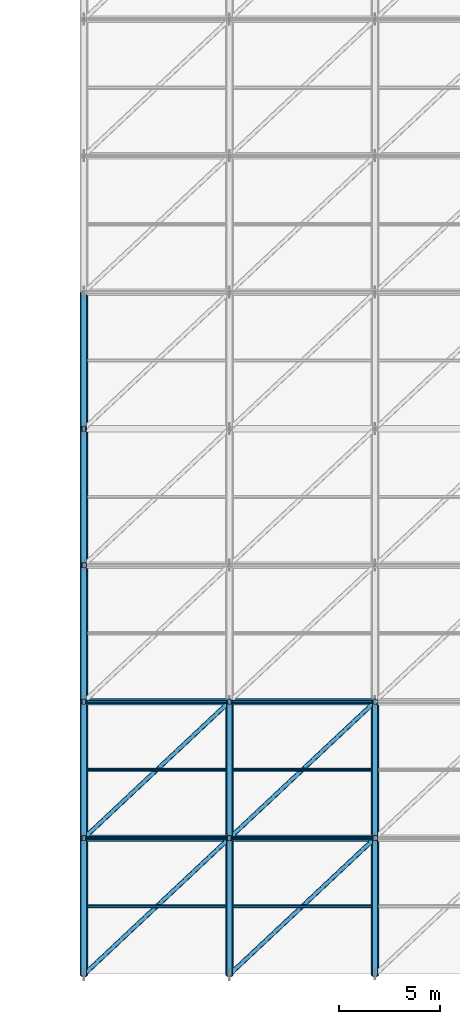
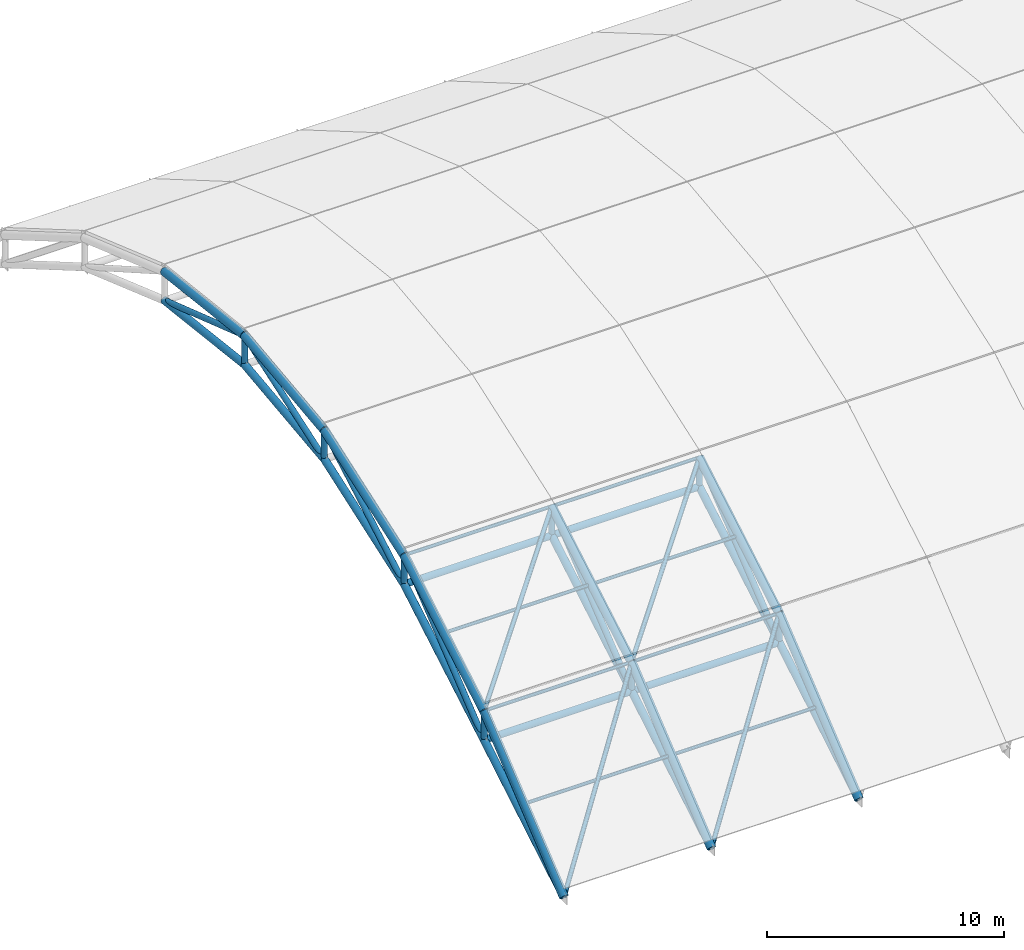
# One storey, part 1 of 72: 42 members, 9 beams.
"""IFC4 building model written with IfcOpenShell, lengths in metres."""

from ifc_helpers import new_model, si_unit, direction, frame, origin, origin_2d, place, context, subcontext, project, spatial, hollow_circle, extrude, material, material_profile, profile_set, type_object, element, save


model = new_model("IFC4")

# Units and contexts
model_context = context("Model", 3, precision=1e-05, world=origin(), true_north=direction((0.0, 1.0)))
body_context = subcontext(model_context, "Body", "Model", "MODEL_VIEW")
ifc_project = project(units=[si_unit("LENGTHUNIT", "METRE"), si_unit("AREAUNIT", "SQUARE_METRE"), si_unit("VOLUMEUNIT", "CUBIC_METRE"), si_unit("PLANEANGLEUNIT", "RADIAN"), si_unit("MASSUNIT", "GRAM", prefix="KILO")], contexts=[model_context])

# Site, building, storey
site_placement = place(None, origin())
site = spatial("IfcSite", under=ifc_project, at=site_placement, CompositionType="ELEMENT")
building_placement = place(site_placement, origin())
building = spatial("IfcBuilding", under=site, at=building_placement, Name="Vaelcorin Mobility Hub", CompositionType="ELEMENT")
storey_placement = place(building_placement, frame((0.0, 0.0, 25.800048828125)))
storey = spatial("IfcBuildingStorey", under=building, at=storey_placement, Name="RF", CompositionType="ELEMENT", Elevation=25.800048828125)

# Members
ifc_material = material(Name="Steel ASTM A500 Grade C", Category="steel")
ifc_material_profile_1 = material_profile(ifc_material, hollow_circle(Radius=0.161865234375, WallThickness=0.0126953125, at=origin_2d()), Name="HSS12.750X0.500")
ifc_profile_set_1 = profile_set([ifc_material_profile_1], Name="Steel ASTM A500 Grade C")
member_type_1 = type_object("IfcMemberType", Name="SF-CHORD-12", PredefinedType="CHORD", material=ifc_profile_set_1)
for number, where, z_axis, x_axis, name in (
    (1, (36.0, 12.75, -15.7880859375), (1.0, 0.0, 0.0), (0.0, 1.0, 0.0), "Space Frame Lower Longitudinal Chord 1-1"),
    (2, (36.0, 19.5, -11.85009765625), (1.0, 0.0, 0.0), (0.0, 1.0, 0.0), "Space Frame Lower Longitudinal Chord 1-2"),
    (3, (43.199951171875, 12.75, -15.7880859375), (1.0, 0.0, 0.0), (0.0, 1.0, 0.0), "Space Frame Lower Longitudinal Chord 2-1"),
    (4, (43.199951171875, 19.5, -11.85009765625), (1.0, 0.0, 0.0), (0.0, 1.0, 0.0), "Space Frame Lower Longitudinal Chord 2-2"),
):
    element("IfcMember", number, at=place(storey_placement, frame(where, z_axis=z_axis, x_axis=x_axis)), inside=storey, type_object=member_type_1, Name=name, PredefinedType="CHORD", context=body_context, shape_type="SweptSolid", body=[
        extrude(hollow_circle(Radius=0.161865234375, WallThickness=0.0126953125, at=origin_2d()), origin(), (0.0, 0.0, 1.0), 7.199951171875),
    ])
ifc_material_profile_2 = material_profile(ifc_material, hollow_circle(Radius=0.177734375, WallThickness=0.0126953125, at=origin_2d()), Name="HSS14.000X0.500")
ifc_profile_set_2 = profile_set([ifc_material_profile_2], Name="Steel ASTM A500 Grade C")
member_type_2 = type_object("IfcMemberType", Name="SF-CHORD-14", PredefinedType="CHORD", material=ifc_profile_set_2)
member_1_placement = place(storey_placement, frame((36.0, 6.0, -19.800048828125), z_axis=(0.0, 0.859622623593, 0.510929491229), x_axis=(-1.0, 0.0, 0.0)))
element("IfcMember", 5, at=member_1_placement, inside=storey, type_object=member_type_2, Name="Space Frame Roof Truss Lower Chord 1-1", PredefinedType="CHORD", context=body_context, shape_type="SweptSolid", body=[
    extrude(hollow_circle(Radius=0.177734375, WallThickness=0.0126953125, at=origin_2d()), origin(), (0.0, 0.0, 1.0), 7.852294921875),
])
member_2_placement = place(storey_placement, frame((36.0, 12.75, -15.7880859375), z_axis=(0.0, 0.863751705385, 0.503917643514), x_axis=(-1.0, 0.0, 0.0)))
element("IfcMember", 6, at=member_2_placement, inside=storey, type_object=member_type_2, Name="Space Frame Roof Truss Lower Chord 1-2", PredefinedType="CHORD", context=body_context, shape_type="SweptSolid", body=[
    extrude(hollow_circle(Radius=0.177734375, WallThickness=0.0126953125, at=origin_2d()), origin(), (0.0, 0.0, 1.0), 7.814697265625),
])
member_3_placement = place(storey_placement, frame((36.0, 19.5, -11.85009765625), z_axis=(0.0, 0.943877515247, 0.330295679977), x_axis=(-1.0, 0.0, 0.0)))
element("IfcMember", 7, at=member_3_placement, inside=storey, type_object=member_type_2, Name="Space Frame Roof Truss Lower Chord 1-3", PredefinedType="CHORD", context=body_context, shape_type="SweptSolid", body=[
    extrude(hollow_circle(Radius=0.177734375, WallThickness=0.0126953125, at=origin_2d()), origin(), (0.0, 0.0, 1.0), 7.1513671875),
])
for number, where, z_axis, x_axis, name in (
    (8, (36.0, 26.25, -9.488037109375), (0.0, 0.993253211532, 0.115965761242), (-1.0, 0.0, 0.0), "Space Frame Roof Truss Lower Chord 1-4"),
    (9, (36.0, 33.0, -8.699951171875), (0.0, 0.993253211532, -0.115965761242), (-1.0, 0.0, 0.0), "Space Frame Roof Truss Lower Chord 1-5"),
):
    element("IfcMember", number, at=place(storey_placement, frame(where, z_axis=z_axis, x_axis=x_axis)), inside=storey, type_object=member_type_2, Name=name, PredefinedType="CHORD", context=body_context, shape_type="SweptSolid", body=[
        extrude(hollow_circle(Radius=0.177734375, WallThickness=0.0126953125, at=origin_2d()), origin(), (0.0, 0.0, 1.0), 6.7958984375),
    ])
member_4_placement = place(storey_placement, frame((43.199951171875, 6.0, -19.800048828125), z_axis=(0.0, 0.859622623593, 0.510929491229), x_axis=(-1.0, 0.0, 0.0)))
element("IfcMember", 10, at=member_4_placement, inside=storey, type_object=member_type_2, Name="Space Frame Roof Truss Lower Chord 2-1", PredefinedType="CHORD", context=body_context, shape_type="SweptSolid", body=[
    extrude(hollow_circle(Radius=0.177734375, WallThickness=0.0126953125, at=origin_2d()), origin(), (0.0, 0.0, 1.0), 7.852294921875),
])
member_5_placement = place(storey_placement, frame((43.199951171875, 12.75, -15.7880859375), z_axis=(0.0, 0.863751705385, 0.503917643514), x_axis=(-1.0, 0.0, 0.0)))
element("IfcMember", 11, at=member_5_placement, inside=storey, type_object=member_type_2, Name="Space Frame Roof Truss Lower Chord 2-2", PredefinedType="CHORD", context=body_context, shape_type="SweptSolid", body=[
    extrude(hollow_circle(Radius=0.177734375, WallThickness=0.0126953125, at=origin_2d()), origin(), (0.0, 0.0, 1.0), 7.814697265625),
])
member_6_placement = place(storey_placement, frame((50.39990234375, 6.0, -19.800048828125), z_axis=(0.0, 0.859622623593, 0.510929491229), x_axis=(-1.0, 0.0, 0.0)))
element("IfcMember", 12, at=member_6_placement, inside=storey, type_object=member_type_2, Name="Space Frame Roof Truss Lower Chord 3-1", PredefinedType="CHORD", context=body_context, shape_type="SweptSolid", body=[
    extrude(hollow_circle(Radius=0.177734375, WallThickness=0.0126953125, at=origin_2d()), origin(), (0.0, 0.0, 1.0), 7.852294921875),
])
member_7_placement = place(storey_placement, frame((50.39990234375, 12.75, -15.7880859375), z_axis=(0.0, 0.863751705385, 0.503917643514), x_axis=(-1.0, 0.0, 0.0)))
element("IfcMember", 13, at=member_7_placement, inside=storey, type_object=member_type_2, Name="Space Frame Roof Truss Lower Chord 3-2", PredefinedType="CHORD", context=body_context, shape_type="SweptSolid", body=[
    extrude(hollow_circle(Radius=0.177734375, WallThickness=0.0126953125, at=origin_2d()), origin(), (0.0, 0.0, 1.0), 7.814697265625),
])
ifc_material_profile_3 = material_profile(ifc_material, hollow_circle(Radius=0.136474609375, WallThickness=0.0126953125, at=origin_2d()), Name="HSS10.750X0.500")
ifc_profile_set_3 = profile_set([ifc_material_profile_3], Name="Steel ASTM A500 Grade C")
member_type_3 = type_object("IfcMemberType", Name="SF-DIAG-10", PredefinedType="BRACE", material=ifc_profile_set_3)
member_8_placement = place(storey_placement, frame((36.0, 6.0, -19.800048828125), z_axis=(0.0, 0.774562321982, 0.632497596332), x_axis=(-1.0, 0.0, 0.0)))
element("IfcMember", 14, at=member_8_placement, inside=storey, type_object=member_type_3, Name="Space Frame Roof Truss Web Diagonal 1-1", PredefinedType="BRACE", context=body_context, shape_type="SweptSolid", body=[
    extrude(hollow_circle(Radius=0.136474609375, WallThickness=0.0126953125, at=origin_2d()), origin(), (0.0, 0.0, 1.0), 8.714599609375),
])
member_9_placement = place(storey_placement, frame((36.0, 12.75, -15.7880859375), z_axis=(0.0, 0.778726388415, 0.627363699926), x_axis=(-1.0, 0.0, 0.0)))
element("IfcMember", 15, at=member_9_placement, inside=storey, type_object=member_type_3, Name="Space Frame Roof Truss Web Diagonal 1-2", PredefinedType="BRACE", context=body_context, shape_type="SweptSolid", body=[
    extrude(hollow_circle(Radius=0.136474609375, WallThickness=0.0126953125, at=origin_2d()), origin(), (0.0, 0.0, 1.0), 8.66796875),
])
member_10_placement = place(storey_placement, frame((36.0, 19.5, -11.85009765625), z_axis=(0.0, 0.867970611296, 0.496615563516), x_axis=(-1.0, 0.0, 0.0)))
element("IfcMember", 16, at=member_10_placement, inside=storey, type_object=member_type_3, Name="Space Frame Roof Truss Web Diagonal 1-3", PredefinedType="BRACE", context=body_context, shape_type="SweptSolid", body=[
    extrude(hollow_circle(Radius=0.136474609375, WallThickness=0.0126953125, at=origin_2d()), origin(), (0.0, 0.0, 1.0), 7.77685546875),
])
for number, where, z_axis, x_axis, name in (
    (17, (36.0, 26.25, -9.488037109375), (0.0, 0.947067997683, 0.321033032201), (-1.0, 0.0, 0.0), "Space Frame Roof Truss Web Diagonal 1-4"),
    (18, (36.0, 33.0, -7.199951171875), (0.0, 0.947067997683, -0.321033032201), (-1.0, 0.0, 0.0), "Space Frame Roof Truss Web Diagonal 1-5"),
):
    element("IfcMember", number, at=place(storey_placement, frame(where, z_axis=z_axis, x_axis=x_axis)), inside=storey, type_object=member_type_3, Name=name, PredefinedType="BRACE", context=body_context, shape_type="SweptSolid", body=[
        extrude(hollow_circle(Radius=0.136474609375, WallThickness=0.0126953125, at=origin_2d()), origin(), (0.0, 0.0, 1.0), 7.127197265625),
    ])
member_11_placement = place(storey_placement, frame((43.199951171875, 6.0, -19.800048828125), z_axis=(0.0, 0.774562321982, 0.632497596332), x_axis=(-1.0, 0.0, 0.0)))
element("IfcMember", 19, at=member_11_placement, inside=storey, type_object=member_type_3, Name="Space Frame Roof Truss Web Diagonal 2-1", PredefinedType="BRACE", context=body_context, shape_type="SweptSolid", body=[
    extrude(hollow_circle(Radius=0.136474609375, WallThickness=0.0126953125, at=origin_2d()), origin(), (0.0, 0.0, 1.0), 8.714599609375),
])
member_12_placement = place(storey_placement, frame((43.199951171875, 12.75, -15.7880859375), z_axis=(0.0, 0.778726388415, 0.627363699926), x_axis=(-1.0, 0.0, 0.0)))
element("IfcMember", 20, at=member_12_placement, inside=storey, type_object=member_type_3, Name="Space Frame Roof Truss Web Diagonal 2-2", PredefinedType="BRACE", context=body_context, shape_type="SweptSolid", body=[
    extrude(hollow_circle(Radius=0.136474609375, WallThickness=0.0126953125, at=origin_2d()), origin(), (0.0, 0.0, 1.0), 8.66796875),
])
member_13_placement = place(storey_placement, frame((50.39990234375, 6.0, -19.800048828125), z_axis=(0.0, 0.774562321982, 0.632497596332), x_axis=(-1.0, 0.0, 0.0)))
element("IfcMember", 21, at=member_13_placement, inside=storey, type_object=member_type_3, Name="Space Frame Roof Truss Web Diagonal 3-1", PredefinedType="BRACE", context=body_context, shape_type="SweptSolid", body=[
    extrude(hollow_circle(Radius=0.136474609375, WallThickness=0.0126953125, at=origin_2d()), origin(), (0.0, 0.0, 1.0), 8.714599609375),
])
member_14_placement = place(storey_placement, frame((50.39990234375, 12.75, -15.7880859375), z_axis=(0.0, 0.778726388415, 0.627363699926), x_axis=(-1.0, 0.0, 0.0)))
element("IfcMember", 22, at=member_14_placement, inside=storey, type_object=member_type_3, Name="Space Frame Roof Truss Web Diagonal 3-2", PredefinedType="BRACE", context=body_context, shape_type="SweptSolid", body=[
    extrude(hollow_circle(Radius=0.136474609375, WallThickness=0.0126953125, at=origin_2d()), origin(), (0.0, 0.0, 1.0), 8.66796875),
])
ifc_material_profile_4 = material_profile(ifc_material, hollow_circle(Radius=0.109619140625, WallThickness=0.009521484375, at=origin_2d()), Name="HSS8.625X0.375")
ifc_profile_set_4 = profile_set([ifc_material_profile_4], Name="Steel ASTM A500 Grade C")
member_type_4 = type_object("IfcMemberType", Name="SF-DIAG-8", PredefinedType="BRACE", material=ifc_profile_set_4)
member_15_placement = place(storey_placement, frame((36.0, 6.0, -19.800048828125), z_axis=(0.636930590236, 0.59712647787, 0.487605775856), x_axis=(-0.683943597489, 0.729534889813, 0.0)))
element("IfcMember", 23, at=member_15_placement, inside=storey, type_object=member_type_4, Name="Space Frame Bracing Diagonal 1-1", PredefinedType="BRACE", context=body_context, shape_type="SweptSolid", body=[
    extrude(hollow_circle(Radius=0.109619140625, WallThickness=0.009521484375, at=origin_2d()), origin(), (0.0, 0.0, 1.0), 11.30419921875),
])
member_16_placement = place(storey_placement, frame((36.0, 12.75, -14.2880859375), z_axis=(0.677585674596, 0.635240877937, 0.370603130828), x_axis=(-0.683943597489, 0.729534889813, 0.0)))
element("IfcMember", 24, at=member_16_placement, inside=storey, type_object=member_type_4, Name="Space Frame Bracing Diagonal 1-2", PredefinedType="BRACE", context=body_context, shape_type="SweptSolid", body=[
    extrude(hollow_circle(Radius=0.109619140625, WallThickness=0.009521484375, at=origin_2d()), origin(), (0.0, 0.0, 1.0), 10.6259765625),
])
member_17_placement = place(storey_placement, frame((43.199951171875, 6.0, -19.800048828125), z_axis=(0.636930590236, 0.59712647787, 0.487605775856), x_axis=(-0.683943597489, 0.729534889813, 0.0)))
element("IfcMember", 25, at=member_17_placement, inside=storey, type_object=member_type_4, Name="Space Frame Bracing Diagonal 2-1", PredefinedType="BRACE", context=body_context, shape_type="SweptSolid", body=[
    extrude(hollow_circle(Radius=0.109619140625, WallThickness=0.009521484375, at=origin_2d()), origin(), (0.0, 0.0, 1.0), 11.30419921875),
])
member_18_placement = place(storey_placement, frame((43.199951171875, 12.75, -14.2880859375), z_axis=(0.677585674596, 0.635240877937, 0.370603130828), x_axis=(-0.683943597489, 0.729534889813, 0.0)))
element("IfcMember", 26, at=member_18_placement, inside=storey, type_object=member_type_4, Name="Space Frame Bracing Diagonal 2-2", PredefinedType="BRACE", context=body_context, shape_type="SweptSolid", body=[
    extrude(hollow_circle(Radius=0.109619140625, WallThickness=0.009521484375, at=origin_2d()), origin(), (0.0, 0.0, 1.0), 10.6259765625),
])
ifc_material_profile_5 = material_profile(ifc_material, hollow_circle(Radius=0.136474609375, WallThickness=0.0126953125, at=origin_2d()), Name="HSS10.750X0.500")
ifc_profile_set_5 = profile_set([ifc_material_profile_5], Name="Steel ASTM A500 Grade C")
member_type_5 = type_object("IfcMemberType", Name="SF-POST-10", PredefinedType="POST", material=ifc_profile_set_5)
for number, where, z_axis, x_axis, name in (
    (27, (36.0, 12.75, -15.7880859375), (0.0, 0.0, 1.0), (1.0, 0.0, 0.0), "Space Frame Roof Truss Post 1-1"),
    (28, (36.0, 19.5, -11.85009765625), (0.0, 0.0, 1.0), (1.0, 0.0, 0.0), "Space Frame Roof Truss Post 1-2"),
    (29, (36.0, 26.25, -9.488037109375), (0.0, 0.0, 1.0), (1.0, 0.0, 0.0), "Space Frame Roof Truss Post 1-3"),
    (30, (36.0, 33.0, -8.699951171875), (0.0, 0.0, 1.0), (1.0, 0.0, 0.0), "Space Frame Roof Truss Post 1-4"),
    (31, (43.199951171875, 12.75, -15.7880859375), (0.0, 0.0, 1.0), (1.0, 0.0, 0.0), "Space Frame Roof Truss Post 2-1"),
    (32, (43.199951171875, 19.5, -11.85009765625), (0.0, 0.0, 1.0), (1.0, 0.0, 0.0), "Space Frame Roof Truss Post 2-2"),
    (33, (50.39990234375, 12.75, -15.7880859375), (0.0, 0.0, 1.0), (1.0, 0.0, 0.0), "Space Frame Roof Truss Post 3-1"),
    (34, (50.39990234375, 19.5, -11.85009765625), (0.0, 0.0, 1.0), (1.0, 0.0, 0.0), "Space Frame Roof Truss Post 3-2"),
):
    element("IfcMember", number, at=place(storey_placement, frame(where, z_axis=z_axis, x_axis=x_axis)), inside=storey, type_object=member_type_5, Name=name, PredefinedType="POST", context=body_context, shape_type="SweptSolid", body=[
        extrude(hollow_circle(Radius=0.136474609375, WallThickness=0.0126953125, at=origin_2d()), origin(), (0.0, 0.0, 1.0), 1.5),
    ])
ifc_material_profile_6 = material_profile(ifc_material, hollow_circle(Radius=0.084228515625, WallThickness=0.0078125, at=origin_2d()), Name="HSS6.625X0.312")
ifc_profile_set_6 = profile_set([ifc_material_profile_6], Name="Steel ASTM A500 Grade C")
member_type_6 = type_object("IfcMemberType", Name="SF-PURL-6", PredefinedType="PURLIN", material=ifc_profile_set_6)
for number, where, z_axis, x_axis, name in (
    (35, (36.0, 12.75, -14.2880859375), (1.0, 0.0, 0.0), (0.0, 1.0, 0.0), "Space Frame Longitudinal Chord 1-1"),
    (36, (36.0, 19.5, -10.35009765625), (1.0, 0.0, 0.0), (0.0, 1.0, 0.0), "Space Frame Longitudinal Chord 1-2"),
):
    element("IfcMember", number, at=place(storey_placement, frame(where, z_axis=z_axis, x_axis=x_axis)), inside=storey, type_object=member_type_6, Name=name, PredefinedType="PURLIN", context=body_context, shape_type="SweptSolid", body=[
        extrude(hollow_circle(Radius=0.084228515625, WallThickness=0.0078125, at=origin_2d()), origin(), (0.0, 0.0, 1.0), 7.199951171875),
    ])
for number, where, z_axis, x_axis, name in (
    (37, (36.179931640625, 9.375, -17.0439453125), (1.0, 0.0, 0.0), (0.0, 1.0, 0.0), "Space Frame Secondary Purlin 1-1"),
    (38, (36.179931640625, 16.125, -12.319091796875), (1.0, 0.0, 0.0), (0.0, 1.0, 0.0), "Space Frame Secondary Purlin 1-2"),
):
    element("IfcMember", number, at=place(storey_placement, frame(where, z_axis=z_axis, x_axis=x_axis)), inside=storey, type_object=member_type_6, Name=name, PredefinedType="PURLIN", context=body_context, shape_type="SweptSolid", body=[
        extrude(hollow_circle(Radius=0.084228515625, WallThickness=0.0078125, at=origin_2d()), origin(), (0.0, 0.0, 1.0), 6.840087890625),
    ])
for number, where, z_axis, x_axis, name in (
    (39, (43.199951171875, 12.75, -14.2880859375), (1.0, 0.0, 0.0), (0.0, 1.0, 0.0), "Space Frame Longitudinal Chord 2-1"),
    (40, (43.199951171875, 19.5, -10.35009765625), (1.0, 0.0, 0.0), (0.0, 1.0, 0.0), "Space Frame Longitudinal Chord 2-2"),
):
    element("IfcMember", number, at=place(storey_placement, frame(where, z_axis=z_axis, x_axis=x_axis)), inside=storey, type_object=member_type_6, Name=name, PredefinedType="PURLIN", context=body_context, shape_type="SweptSolid", body=[
        extrude(hollow_circle(Radius=0.084228515625, WallThickness=0.0078125, at=origin_2d()), origin(), (0.0, 0.0, 1.0), 7.199951171875),
    ])
for number, where, z_axis, x_axis, name in (
    (41, (43.3798828125, 9.375, -17.0439453125), (1.0, 0.0, 0.0), (0.0, 1.0, 0.0), "Space Frame Secondary Purlin 2-1"),
    (42, (43.3798828125, 16.125, -12.319091796875), (1.0, 0.0, 0.0), (0.0, 1.0, 0.0), "Space Frame Secondary Purlin 2-2"),
):
    element("IfcMember", number, at=place(storey_placement, frame(where, z_axis=z_axis, x_axis=x_axis)), inside=storey, type_object=member_type_6, Name=name, PredefinedType="PURLIN", context=body_context, shape_type="SweptSolid", body=[
        extrude(hollow_circle(Radius=0.084228515625, WallThickness=0.0078125, at=origin_2d()), origin(), (0.0, 0.0, 1.0), 6.840087890625),
    ])

# Beams
ifc_material_profile_7 = material_profile(ifc_material, hollow_circle(Radius=0.203125, WallThickness=0.015869140625, at=origin_2d()), Name="HSS16.000X0.625")
ifc_profile_set_7 = profile_set([ifc_material_profile_7], Name="Steel ASTM A500 Grade C")
beam_type = type_object("IfcBeamType", Name="TR-CHORD-16", PredefinedType="BEAM", material=ifc_profile_set_7)
beam_1_placement = place(storey_placement, frame((36.0, 6.0, -19.800048828125), z_axis=(0.0, 0.774562321982, 0.632497596332), x_axis=(-1.0, 0.0, 0.0)))
element("IfcBeam", 43, at=beam_1_placement, inside=storey, type_object=beam_type, Name="Space Frame Roof Truss Upper Chord 1-1", PredefinedType="BEAM", context=body_context, shape_type="SweptSolid", body=[
    extrude(hollow_circle(Radius=0.203125, WallThickness=0.015869140625, at=origin_2d()), origin(), (0.0, 0.0, 1.0), 8.714599609375),
])
beam_2_placement = place(storey_placement, frame((36.0, 12.75, -14.2880859375), z_axis=(0.0, 0.863751705385, 0.503917643514), x_axis=(-1.0, 0.0, 0.0)))
element("IfcBeam", 44, at=beam_2_placement, inside=storey, type_object=beam_type, Name="Space Frame Roof Truss Upper Chord 1-2", PredefinedType="BEAM", context=body_context, shape_type="SweptSolid", body=[
    extrude(hollow_circle(Radius=0.203125, WallThickness=0.015869140625, at=origin_2d()), origin(), (0.0, 0.0, 1.0), 7.814697265625),
])
beam_3_placement = place(storey_placement, frame((36.0, 19.5, -10.35009765625), z_axis=(0.0, 0.943877515247, 0.330295679977), x_axis=(-1.0, 0.0, 0.0)))
element("IfcBeam", 45, at=beam_3_placement, inside=storey, type_object=beam_type, Name="Space Frame Roof Truss Upper Chord 1-3", PredefinedType="BEAM", context=body_context, shape_type="SweptSolid", body=[
    extrude(hollow_circle(Radius=0.203125, WallThickness=0.015869140625, at=origin_2d()), origin(), (0.0, 0.0, 1.0), 7.1513671875),
])
for number, where, z_axis, x_axis, name in (
    (46, (36.0, 26.25, -7.988037109375), (0.0, 0.993253211532, 0.115965761242), (-1.0, 0.0, 0.0), "Space Frame Roof Truss Upper Chord 1-4"),
    (47, (36.0, 33.0, -7.199951171875), (0.0, 0.993253211532, -0.115965761242), (-1.0, 0.0, 0.0), "Space Frame Roof Truss Upper Chord 1-5"),
):
    element("IfcBeam", number, at=place(storey_placement, frame(where, z_axis=z_axis, x_axis=x_axis)), inside=storey, type_object=beam_type, Name=name, PredefinedType="BEAM", context=body_context, shape_type="SweptSolid", body=[
        extrude(hollow_circle(Radius=0.203125, WallThickness=0.015869140625, at=origin_2d()), origin(), (0.0, 0.0, 1.0), 6.7958984375),
    ])
beam_4_placement = place(storey_placement, frame((43.199951171875, 6.0, -19.800048828125), z_axis=(0.0, 0.774562321982, 0.632497596332), x_axis=(-1.0, 0.0, 0.0)))
element("IfcBeam", 48, at=beam_4_placement, inside=storey, type_object=beam_type, Name="Space Frame Roof Truss Upper Chord 2-1", PredefinedType="BEAM", context=body_context, shape_type="SweptSolid", body=[
    extrude(hollow_circle(Radius=0.203125, WallThickness=0.015869140625, at=origin_2d()), origin(), (0.0, 0.0, 1.0), 8.714599609375),
])
beam_5_placement = place(storey_placement, frame((43.199951171875, 12.75, -14.2880859375), z_axis=(0.0, 0.863751705385, 0.503917643514), x_axis=(-1.0, 0.0, 0.0)))
element("IfcBeam", 49, at=beam_5_placement, inside=storey, type_object=beam_type, Name="Space Frame Roof Truss Upper Chord 2-2", PredefinedType="BEAM", context=body_context, shape_type="SweptSolid", body=[
    extrude(hollow_circle(Radius=0.203125, WallThickness=0.015869140625, at=origin_2d()), origin(), (0.0, 0.0, 1.0), 7.814697265625),
])
beam_6_placement = place(storey_placement, frame((50.39990234375, 6.0, -19.800048828125), z_axis=(0.0, 0.774562321982, 0.632497596332), x_axis=(-1.0, 0.0, 0.0)))
element("IfcBeam", 50, at=beam_6_placement, inside=storey, type_object=beam_type, Name="Space Frame Roof Truss Upper Chord 3-1", PredefinedType="BEAM", context=body_context, shape_type="SweptSolid", body=[
    extrude(hollow_circle(Radius=0.203125, WallThickness=0.015869140625, at=origin_2d()), origin(), (0.0, 0.0, 1.0), 8.714599609375),
])
beam_7_placement = place(storey_placement, frame((50.39990234375, 12.75, -14.2880859375), z_axis=(0.0, 0.863751705385, 0.503917643514), x_axis=(-1.0, 0.0, 0.0)))
element("IfcBeam", 51, at=beam_7_placement, inside=storey, type_object=beam_type, Name="Space Frame Roof Truss Upper Chord 3-2", PredefinedType="BEAM", context=body_context, shape_type="SweptSolid", body=[
    extrude(hollow_circle(Radius=0.203125, WallThickness=0.015869140625, at=origin_2d()), origin(), (0.0, 0.0, 1.0), 7.814697265625),
])

save(model, "model.ifc")
